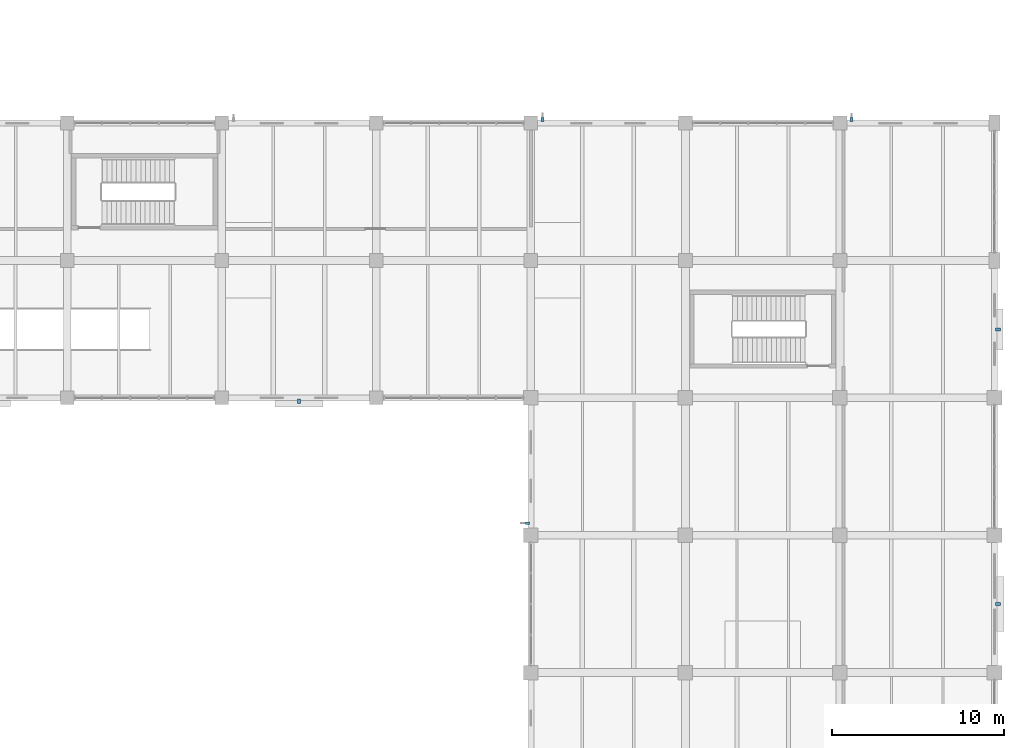
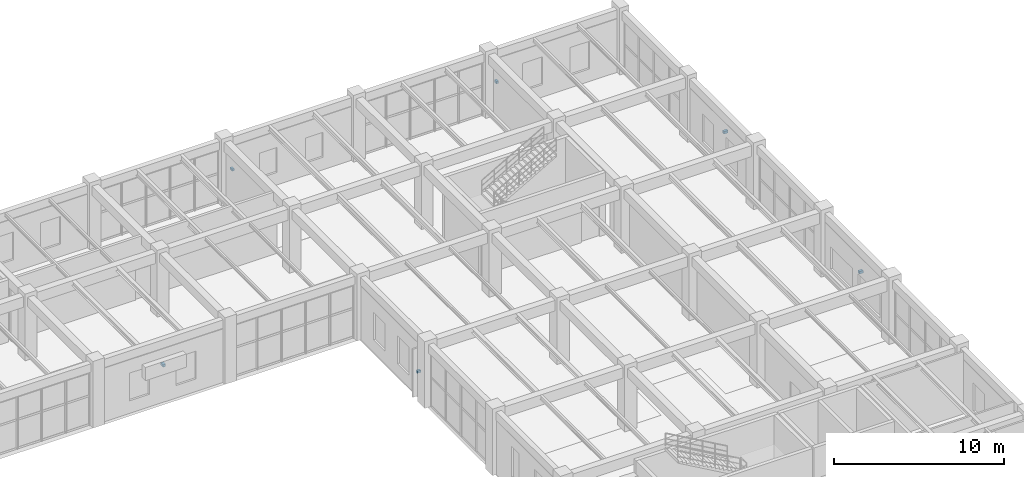
# One storey, part 168 of 178: 6 discrete accessories.
"""IFC4 building model written with IfcOpenShell, lengths in metres."""

from ifc_helpers import new_model, si_unit, derived_unit, direction, frame, origin, origin_2d, place, context, subcontext, project, spatial, rectangle, extrude, material, type_object, element, save


model = new_model("IFC4")

# Units and contexts
model_context = context("Model", 3, precision=1e-05, world=origin(), true_north=direction((0.0, 1.0)))
body_context = subcontext(model_context, "Body", "Model", "MODEL_VIEW")
ifc_project = project(units=[si_unit("LENGTHUNIT", "METRE"), si_unit("AREAUNIT", "SQUARE_METRE"), si_unit("VOLUMEUNIT", "CUBIC_METRE"), si_unit("PLANEANGLEUNIT", "RADIAN"), si_unit("MASSUNIT", "GRAM", prefix="KILO"), derived_unit("THERMALTRANSMITTANCEUNIT", [(si_unit("MASSUNIT", "GRAM", prefix="KILO"), 1), (si_unit("TIMEUNIT", "SECOND"), -3), (si_unit("THERMODYNAMICTEMPERATUREUNIT", "KELVIN"), -1)])], contexts=[model_context])

# Site, building, storey
site_placement = place(None, origin())
site = spatial("IfcSite", under=ifc_project, at=site_placement, CompositionType="ELEMENT")
building_placement = place(site_placement, origin())
building = spatial("IfcBuilding", under=site, at=building_placement, Name="Zhenchuan Archway Interchange", CompositionType="ELEMENT")
storey_placement = place(building_placement, frame((0.0, 0.0, 5.39990234375)))
storey = spatial("IfcBuildingStorey", under=building, at=storey_placement, Name="L01", CompositionType="ELEMENT", Elevation=5.39990234375)

# Discrete accessories
ifc_material = material(Name="Stainless Steel 316", Category="steel")
discrete_accessory_type_1 = type_object("IfcDiscreteAccessoryType", Name="BRK_SHD_1", PredefinedType="BRACKET", material=ifc_material)
for number, where, z_axis, x_axis, name in (
    (1, (144.677978515625, 104.199951171875, 1.85009765625), (0.0, 0.0, 1.0), (1.0, 0.0, 0.0), "Solar fin stainless fixing bracket L01-038"),
    (2, (162.677978515625, 104.199951171875, 1.85009765625), (0.0, 0.0, 1.0), (1.0, 0.0, 0.0), "Solar fin stainless fixing bracket L01-039"),
    (3, (143.800048828125, 80.702880859375, 1.85009765625), (0.0, 0.0, 1.0), (0.0, 1.0, 0.0), "Solar fin stainless fixing bracket L01-059"),
):
    element("IfcDiscreteAccessory", number, at=place(storey_placement, frame(where, z_axis=z_axis, x_axis=x_axis)), inside=storey, type_object=discrete_accessory_type_1, Name=name, PredefinedType="BRACKET", context=body_context, shape_type="SweptSolid", body=[
        extrude(rectangle(XDim=0.159912109375, YDim=0.239990234375, at=origin_2d()), origin(), (0.0, 0.0, 1.0), 0.159912109375),
    ])
discrete_accessory_type_2 = type_object("IfcDiscreteAccessoryType", Name="BRK_SHD_2", PredefinedType="BRACKET", material=ifc_material)
for number, where, z_axis, x_axis, name in (
    (4, (171.199951171875, 91.97509765625, 2.66015625), (0.0, 0.0, 1.0), (0.0, -1.0, 0.0), "Storm-louvre stainless fixing bracket L01-040"),
    (5, (171.199951171875, 76.0, 2.26025390625), (0.0, 0.0, 1.0), (0.0, -1.0, 0.0), "Storm-louvre stainless fixing bracket L01-041"),
    (6, (130.5, 87.800048828125, 2.66015625), (0.0, 0.0, 1.0), (-1.0, 0.0, 0.0), "Storm-louvre stainless fixing bracket L01-060"),
):
    element("IfcDiscreteAccessory", number, at=place(storey_placement, frame(where, z_axis=z_axis, x_axis=x_axis)), inside=storey, type_object=discrete_accessory_type_2, Name=name, PredefinedType="BRACKET", context=body_context, shape_type="SweptSolid", body=[
        extrude(rectangle(XDim=0.179931640625, YDim=0.280029296875, at=origin_2d()), origin(), (0.0, 0.0, 1.0), 0.179931640625),
    ])

save(model, "model.ifc")
